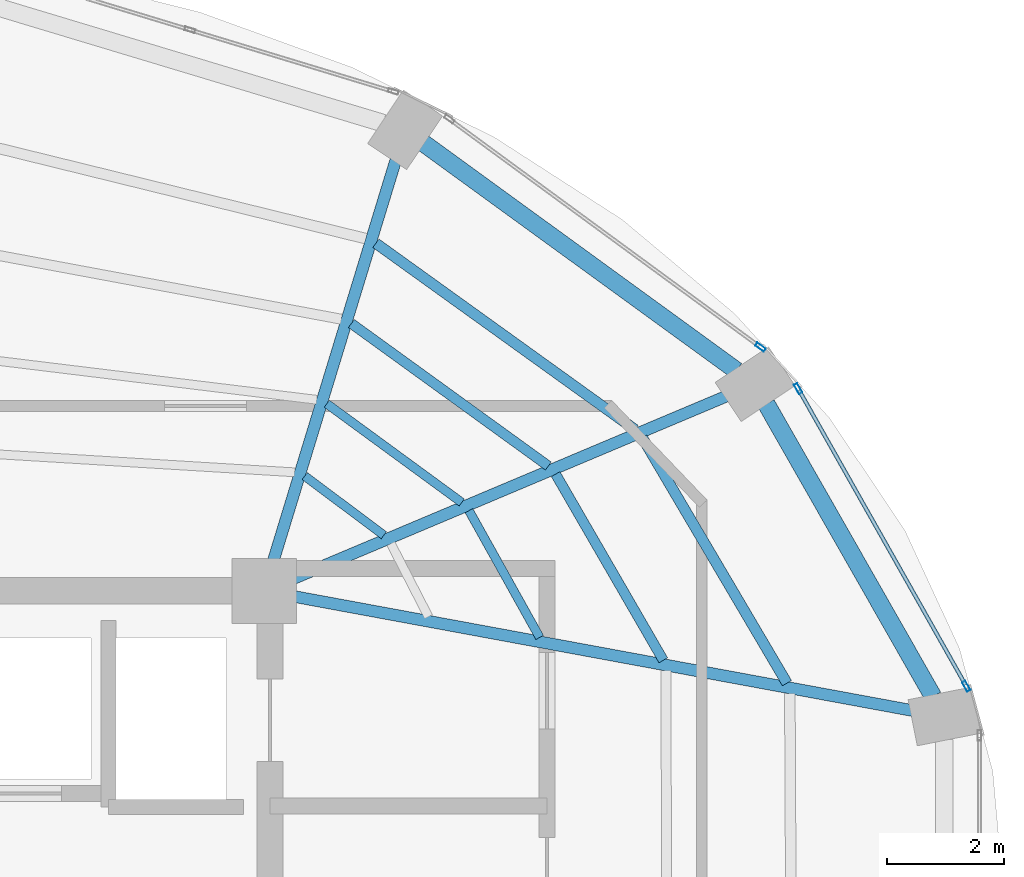
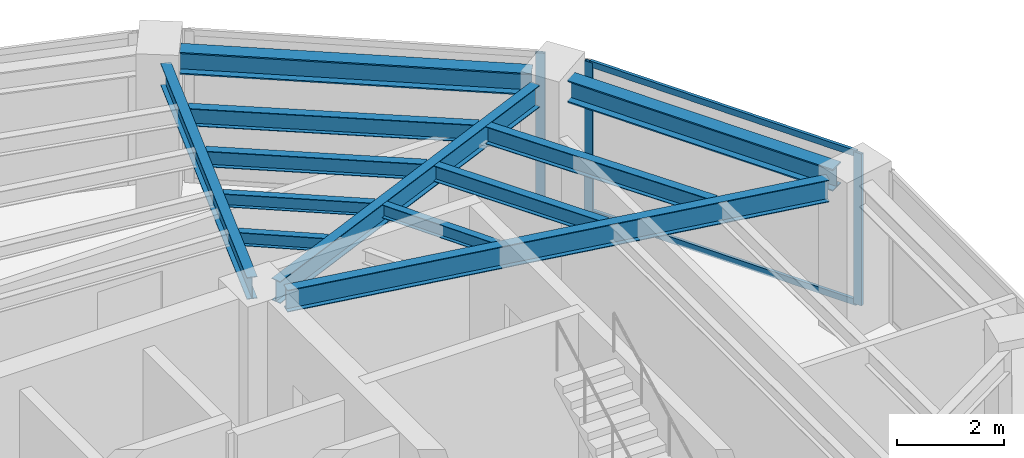
# One storey, part 15 of 22: 12 beams, 5 members, 2 elements without a shape of their own.
"""IFC4 building model written with IfcOpenShell, lengths in metres."""

from ifc_helpers import new_model, si_unit, direction, frame, origin, origin_2d, place, context, subcontext, project, spatial, hollow_rectangle, i_section, extrude, material, layer, layer_set, material_profile, profile_set, type_object, element, aggregate, save


model = new_model("IFC4")

# Units and contexts
model_context = context("Model", 3, precision=1e-05, world=origin(), true_north=direction((0.0, 1.0)))
body_context = subcontext(model_context, "Body", "Model", "MODEL_VIEW")
ifc_project = project(units=[si_unit("LENGTHUNIT", "METRE"), si_unit("AREAUNIT", "SQUARE_METRE"), si_unit("VOLUMEUNIT", "CUBIC_METRE"), si_unit("PLANEANGLEUNIT", "RADIAN"), si_unit("MASSUNIT", "GRAM", prefix="KILO")], contexts=[model_context])

# Site, building, storey
site_placement = place(None, origin())
site = spatial("IfcSite", under=ifc_project, at=site_placement, CompositionType="ELEMENT")
building_placement = place(site_placement, origin())
building = spatial("IfcBuilding", under=site, at=building_placement, Name="Lazwardi Medical Tower", CompositionType="ELEMENT")
storey_placement = place(building_placement, frame((0.0, 0.0, 258.672119140625)))
storey = spatial("IfcBuildingStorey", under=building, at=storey_placement, Name="L67", CompositionType="ELEMENT", Elevation=258.672119140625)

# Beams
ifc_material_1 = material(Name="Steel S355", Category="steel")
ifc_material_profile_1 = material_profile(ifc_material_1, i_section(OverallWidth=0.300048828125, OverallDepth=0.5, WebThickness=0.014404296875, FlangeThickness=0.028076171875, at=origin_2d()), Name="HEB 500")
ifc_profile_set_1 = profile_set([ifc_material_profile_1], Name="Steel S355")
beam_type_1 = type_object("IfcBeamType", Name="BM-RB-Z4", PredefinedType="BEAM", material=ifc_profile_set_1)
beam_1_placement = place(storey_placement, frame((56.991943359375, 33.8017578125, 3.197998046875), z_axis=(-0.495125273299, 0.868821594886, 0.0), x_axis=(-0.868821594886, -0.495125273299, 0.0)))
element("IfcBeam", 1, at=beam_1_placement, inside=storey, type_object=beam_type_1, Name="Ring beam RB-05 B05 L67", PredefinedType="BEAM", context=body_context, shape_type="SweptSolid", body=[
    extrude(i_section(OverallWidth=0.300048828125, OverallDepth=0.5, WebThickness=0.014404296875, FlangeThickness=0.028076171875, at=origin_2d()), origin(), (0.0, 0.0, 1.0), 5.734130859375),
])
beam_2_placement = place(storey_placement, frame((53.644287109375, 39.351806640625, 3.197998046875), z_axis=(-0.808889916254, 0.587960120571, 0.0), x_axis=(-0.587960120571, -0.808889916254, 0.0)))
element("IfcBeam", 2, at=beam_2_placement, inside=storey, type_object=beam_type_1, Name="Ring beam RB-05 B06 L67", PredefinedType="BEAM", context=body_context, shape_type="SweptSolid", body=[
    extrude(i_section(OverallWidth=0.300048828125, OverallDepth=0.5, WebThickness=0.014404296875, FlangeThickness=0.028076171875, at=origin_2d()), origin(), (0.0, 0.0, 1.0), 6.587158203125),
])
ifc_material_profile_2 = material_profile(ifc_material_1, i_section(OverallWidth=0.199951171875, OverallDepth=0.5, WebThickness=0.01025390625, FlangeThickness=0.01611328125, at=origin_2d()), Name="IPE 500")
ifc_profile_set_2 = profile_set([ifc_material_profile_2], Name="Steel S355")
beam_type_2 = type_object("IfcBeamType", Name="BM-RG-W3", PredefinedType="BEAM", material=ifc_profile_set_2)
beam_3_placement = place(storey_placement, frame((56.658935546875, 33.56005859375, 3.197998046875), z_axis=(-0.983409341459, 0.181400295288, 0.0), x_axis=(-0.181400295288, -0.983409341459, 0.0)))
element("IfcBeam", 3, at=beam_3_placement, inside=storey, type_object=beam_type_2, Name="Radial girder RG-04 R05 L67", PredefinedType="BEAM", context=body_context, shape_type="SweptSolid", body=[
    extrude(i_section(OverallWidth=0.199951171875, OverallDepth=0.5, WebThickness=0.01025390625, FlangeThickness=0.01611328125, at=origin_2d()), origin(), (0.0, 0.0, 1.0), 10.71044921875),
])
beam_4_placement = place(storey_placement, frame((53.466796875, 38.914794921875, 3.197998046875), z_axis=(-0.921526791352, -0.388314785735, 0.0), x_axis=(0.388314785735, -0.921526791352, 0.0)))
element("IfcBeam", 4, at=beam_4_placement, inside=storey, type_object=beam_type_2, Name="Radial girder RG-04 R06 L67", PredefinedType="BEAM", context=body_context, shape_type="SweptSolid", body=[
    extrude(i_section(OverallWidth=0.199951171875, OverallDepth=0.5, WebThickness=0.01025390625, FlangeThickness=0.01611328125, at=origin_2d()), origin(), (0.0, 0.0, 1.0), 8.001708984375),
])
beam_5_placement = place(storey_placement, frame((47.843994140625, 42.9423828125, 3.197998046875), z_axis=(-0.292276716539, -0.956333791607, 0.0), x_axis=(0.956333791607, -0.292276716539, 0.0)))
element("IfcBeam", 5, at=beam_5_placement, inside=storey, type_object=beam_type_2, Name="Radial girder RG-04 R07 L67", PredefinedType="BEAM", context=body_context, shape_type="SweptSolid", body=[
    extrude(i_section(OverallWidth=0.199951171875, OverallDepth=0.5, WebThickness=0.01025390625, FlangeThickness=0.01611328125, at=origin_2d()), origin(), (0.0, 0.0, 1.0), 7.142822265625),
])
ifc_material_profile_3 = material_profile(ifc_material_1, i_section(OverallWidth=0.179931640625, OverallDepth=0.39990234375, WebThickness=0.008544921875, FlangeThickness=0.013427734375, at=origin_2d()), Name="IPE 400")
ifc_profile_set_3 = profile_set([ifc_material_profile_3], Name="Steel S355")
beam_type_3 = type_object("IfcBeamType", Name="BM-SJ-01", PredefinedType="JOIST", material=ifc_profile_set_3)
beam_6_placement = place(storey_placement, frame((54.504150390625, 34.030517578125, 3.247802734375), z_axis=(-0.507710311367, 0.861527851977, 0.0), x_axis=(-0.861527851977, -0.507710311367, 0.0)))
element("IfcBeam", 6, at=beam_6_placement, inside=storey, type_object=beam_type_3, Name="Secondary joist SJ-01 R1 B05 L67", PredefinedType="JOIST", context=body_context, shape_type="SweptSolid", body=[
    extrude(i_section(OverallWidth=0.179931640625, OverallDepth=0.39990234375, WebThickness=0.008544921875, FlangeThickness=0.013427734375, at=origin_2d()), origin(), (0.0, 0.0, 1.0), 4.852783203125),
])
beam_7_placement = place(storey_placement, frame((51.914794921875, 38.348876953125, 3.247802734375), z_axis=(-0.811889581337, 0.58381102055, 0.0), x_axis=(-0.58381102055, -0.811889581337, 0.0)))
element("IfcBeam", 7, at=beam_7_placement, inside=storey, type_object=beam_type_3, Name="Secondary joist SJ-01 R1 B06 L67", PredefinedType="JOIST", context=body_context, shape_type="SweptSolid", body=[
    extrude(i_section(OverallWidth=0.179931640625, OverallDepth=0.39990234375, WebThickness=0.008544921875, FlangeThickness=0.013427734375, at=origin_2d()), origin(), (0.0, 0.0, 1.0), 5.433349609375),
])
ifc_material_profile_4 = material_profile(ifc_material_1, i_section(OverallWidth=0.169921875, OverallDepth=0.360107421875, WebThickness=0.008056640625, FlangeThickness=0.0126953125, at=origin_2d()), Name="IPE 360")
ifc_profile_set_4 = profile_set([ifc_material_profile_4], Name="Steel S355")
beam_type_4 = type_object("IfcBeamType", Name="BM-SJ-02", PredefinedType="JOIST", material=ifc_profile_set_4)
beam_8_placement = place(storey_placement, frame((52.398193359375, 34.41943359375, 3.267822265625), z_axis=(-0.500655179543, 0.865646805109, 0.0), x_axis=(-0.865646805109, -0.500655179543, 0.0)))
element("IfcBeam", 8, at=beam_8_placement, inside=storey, type_object=beam_type_4, Name="Secondary joist SJ-02 R2 B05 L67", PredefinedType="JOIST", context=body_context, shape_type="SweptSolid", body=[
    extrude(i_section(OverallWidth=0.169921875, OverallDepth=0.360107421875, WebThickness=0.008056640625, FlangeThickness=0.0126953125, at=origin_2d()), origin(), (0.0, 0.0, 1.0), 3.662109375),
])
beam_9_placement = place(storey_placement, frame((50.440185546875, 37.7275390625, 3.267822265625), z_axis=(-0.810164229155, 0.586202969796, 0.0), x_axis=(-0.586202969796, -0.810164229155, 0.0)))
element("IfcBeam", 9, at=beam_9_placement, inside=storey, type_object=beam_type_4, Name="Secondary joist SJ-02 R2 B06 L67", PredefinedType="JOIST", context=body_context, shape_type="SweptSolid", body=[
    extrude(i_section(OverallWidth=0.169921875, OverallDepth=0.360107421875, WebThickness=0.008056640625, FlangeThickness=0.0126953125, at=origin_2d()), origin(), (0.0, 0.0, 1.0), 4.14013671875),
])
ifc_material_profile_5 = material_profile(ifc_material_1, i_section(OverallWidth=0.14990234375, OverallDepth=0.300048828125, WebThickness=0.007080078125, FlangeThickness=0.0107421875, at=origin_2d()), Name="IPE 300")
ifc_profile_set_5 = profile_set([ifc_material_profile_5], Name="Steel S355")
beam_type_5 = type_object("IfcBeamType", Name="BM-SJ-03", PredefinedType="JOIST", material=ifc_profile_set_5)
beam_10_placement = place(storey_placement, frame((50.29296875, 34.80859375, 3.2978515625), z_axis=(-0.487092942089, 0.873350139272, 0.0), x_axis=(-0.873350139272, -0.487092942089, 0.0)))
element("IfcBeam", 10, at=beam_10_placement, inside=storey, type_object=beam_type_5, Name="Secondary joist SJ-03 R3 B05 L67", PredefinedType="JOIST", context=body_context, shape_type="SweptSolid", body=[
    extrude(i_section(OverallWidth=0.14990234375, OverallDepth=0.300048828125, WebThickness=0.007080078125, FlangeThickness=0.0107421875, at=origin_2d()), origin(), (0.0, 0.0, 1.0), 2.471923828125),
])
beam_11_placement = place(storey_placement, frame((48.9658203125, 37.106689453125, 3.2978515625), z_axis=(-0.80703431267, 0.59050454543, 0.0), x_axis=(-0.59050454543, -0.80703431267, 0.0)))
element("IfcBeam", 11, at=beam_11_placement, inside=storey, type_object=beam_type_5, Name="Secondary joist SJ-03 R3 B06 L67", PredefinedType="JOIST", context=body_context, shape_type="SweptSolid", body=[
    extrude(i_section(OverallWidth=0.14990234375, OverallDepth=0.300048828125, WebThickness=0.007080078125, FlangeThickness=0.0107421875, at=origin_2d()), origin(), (0.0, 0.0, 1.0), 2.846923828125),
])
beam_12_placement = place(storey_placement, frame((47.63916015625, 36.548095703125, 3.2978515625), z_axis=(-0.800365301971, 0.599512621553, 0.0), x_axis=(-0.599512621553, -0.800365301971, 0.0)))
element("IfcBeam", 12, at=beam_12_placement, inside=storey, type_object=beam_type_5, Name="Secondary joist SJ-03 R4 B06 L67", PredefinedType="JOIST", context=body_context, shape_type="SweptSolid", body=[
    extrude(i_section(OverallWidth=0.14990234375, OverallDepth=0.300048828125, WebThickness=0.007080078125, FlangeThickness=0.0107421875, at=origin_2d()), origin(), (0.0, 0.0, 1.0), 1.68359375),
])

# Curtain wall, members
ifc_material_2 = material(Name="Anodised bronze aluminium and solar control glazing", Category="aluminium")
ifc_layer = layer(ifc_material_2, 0.18994140625)
ifc_layer_set = layer_set([ifc_layer], Name="Anodised bronze aluminium and solar control glazing")
curtain_wall_type = type_object("IfcCurtainWallType", Name="CW-SYS-04", PredefinedType="NOTDEFINED", material=ifc_layer_set)
curtain_wall_1_placement = place(storey_placement, origin())
curtain_wall_1 = element("IfcCurtainWall", 13, at=curtain_wall_1_placement, inside=storey, type_object=curtain_wall_type, Name="L67 Unitised bronze curtain wall CW-04", PredefinedType="NOTDEFINED")
ifc_material_3 = material(Name="Anodised bronze aluminium", Category="aluminium")
ifc_material_profile_6 = material_profile(ifc_material_3, hollow_rectangle(XDim=0.06494140625, YDim=0.179931640625, WallThickness=0.00390625, at=origin_2d()), Name="ALU-MULLION 180x65x4")
ifc_profile_set_6 = profile_set([ifc_material_profile_6], Name="Anodised bronze aluminium")
member_type_1 = type_object("IfcMemberType", Name="CW-MUL-03", PredefinedType="MULLION", material=ifc_profile_set_6)
member_1_placement = place(storey_placement, frame((57.557373046875, 33.978271484375, 0.0), z_axis=(0.0, 0.0, 1.0), x_axis=(-0.870651436011, -0.491900474661, 0.0)))
member_1 = element("IfcMember", 14, at=member_1_placement, type_object=member_type_1, Name="CW-04 mullion 1", PredefinedType="MULLION", context=body_context, shape_type="SweptSolid", body=[
    extrude(hollow_rectangle(XDim=0.06494140625, YDim=0.179931640625, WallThickness=0.00390625, at=origin_2d()), origin(), (0.0, 0.0, 1.0), 3.447998046875),
])
member_2_placement = place(storey_placement, frame((54.6943359375, 39.04541015625, 0.0), z_axis=(0.0, 0.0, 1.0), x_axis=(-0.870651436011, -0.491900474661, 0.0)))
member_2 = element("IfcMember", 15, at=member_2_placement, type_object=member_type_1, Name="CW-04 mullion 2", PredefinedType="MULLION", context=body_context, shape_type="SweptSolid", body=[
    extrude(hollow_rectangle(XDim=0.06494140625, YDim=0.179931640625, WallThickness=0.00390625, at=origin_2d()), origin(), (0.0, 0.0, 1.0), 3.447998046875),
])

# Curtain wall, member
curtain_wall_2_placement = place(storey_placement, origin())
curtain_wall_2 = element("IfcCurtainWall", 16, at=curtain_wall_2_placement, inside=storey, type_object=curtain_wall_type, Name="L67 Unitised bronze curtain wall CW-04", PredefinedType="NOTDEFINED")
member_3_placement = place(storey_placement, frame((54.052001953125, 39.751708984375, 0.0), z_axis=(0.0, 0.0, 1.0), x_axis=(-0.591268230971, -0.806474971121, 0.0)))
member_3 = element("IfcMember", 17, at=member_3_placement, type_object=member_type_1, Name="CW-04 mullion 1", PredefinedType="MULLION", context=body_context, shape_type="SweptSolid", body=[
    extrude(hollow_rectangle(XDim=0.06494140625, YDim=0.179931640625, WallThickness=0.00390625, at=origin_2d()), origin(), (0.0, 0.0, 1.0), 3.447998046875),
])
aggregate(curtain_wall_2, [member_3])

# Member
ifc_material_profile_7 = material_profile(ifc_material_3, hollow_rectangle(XDim=0.06494140625, YDim=0.139892578125, WallThickness=0.00341796875, at=origin_2d()), Name="ALU-TRANSOM 140x65x3.5")
ifc_profile_set_7 = profile_set([ifc_material_profile_7], Name="Anodised bronze aluminium")
member_type_2 = type_object("IfcMemberType", Name="CW-TRN-03", PredefinedType="USERDEFINED", material=ifc_profile_set_7)
member_4_placement = place(storey_placement, frame((57.541259765625, 34.006591796875, 0.032470703125), z_axis=(-0.491897887635, 0.870652897623, 0.0), x_axis=(-0.870652897623, -0.491897887635, 0.0)))
member_4 = element("IfcMember", 18, at=member_4_placement, type_object=member_type_2, Name="CW-04 transom 1.1", ObjectType="TRANSOM", PredefinedType="USERDEFINED", context=body_context, shape_type="SweptSolid", body=[
    extrude(hollow_rectangle(XDim=0.06494140625, YDim=0.139892578125, WallThickness=0.00341796875, at=origin_2d()), origin(), (0.0, 0.0, 1.0), 5.7548828125),
])

member_5_placement = place(storey_placement, frame((57.541259765625, 34.006591796875, 3.415283203125), z_axis=(-0.491897887635, 0.870652897623, 0.0), x_axis=(-0.870652897623, -0.491897887635, 0.0)))
member_5 = element("IfcMember", 19, at=member_5_placement, type_object=member_type_2, Name="CW-04 transom 1.2", ObjectType="TRANSOM", PredefinedType="USERDEFINED", context=body_context, shape_type="SweptSolid", body=[
    extrude(hollow_rectangle(XDim=0.06494140625, YDim=0.139892578125, WallThickness=0.00341796875, at=origin_2d()), origin(), (0.0, 0.0, 1.0), 5.7548828125),
])

aggregate(curtain_wall_1, [member_1, member_2, member_4, member_5])

save(model, "model.ifc")
